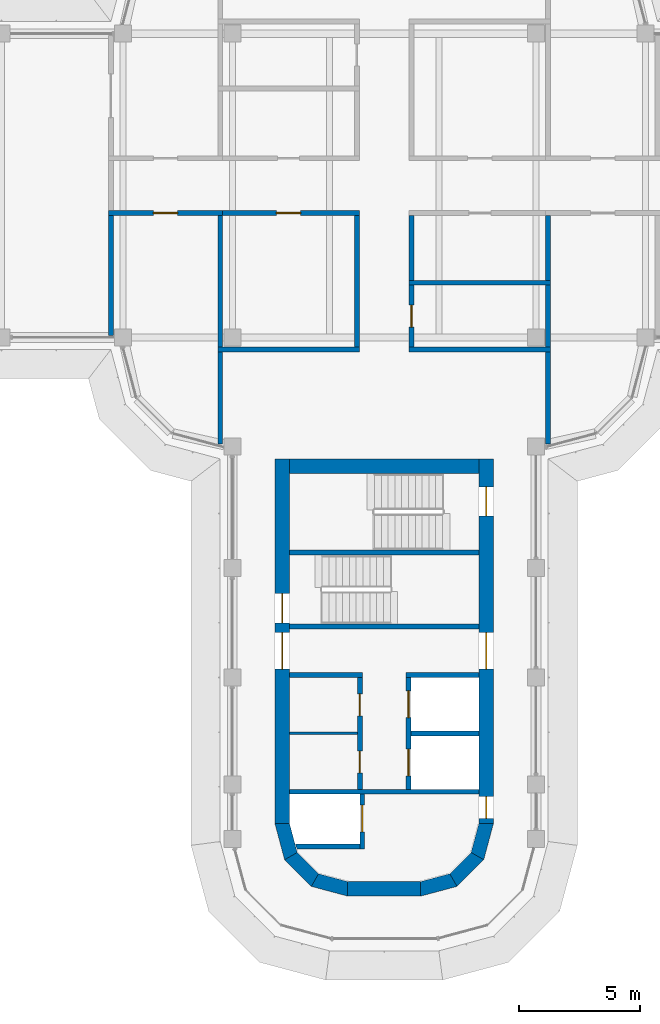
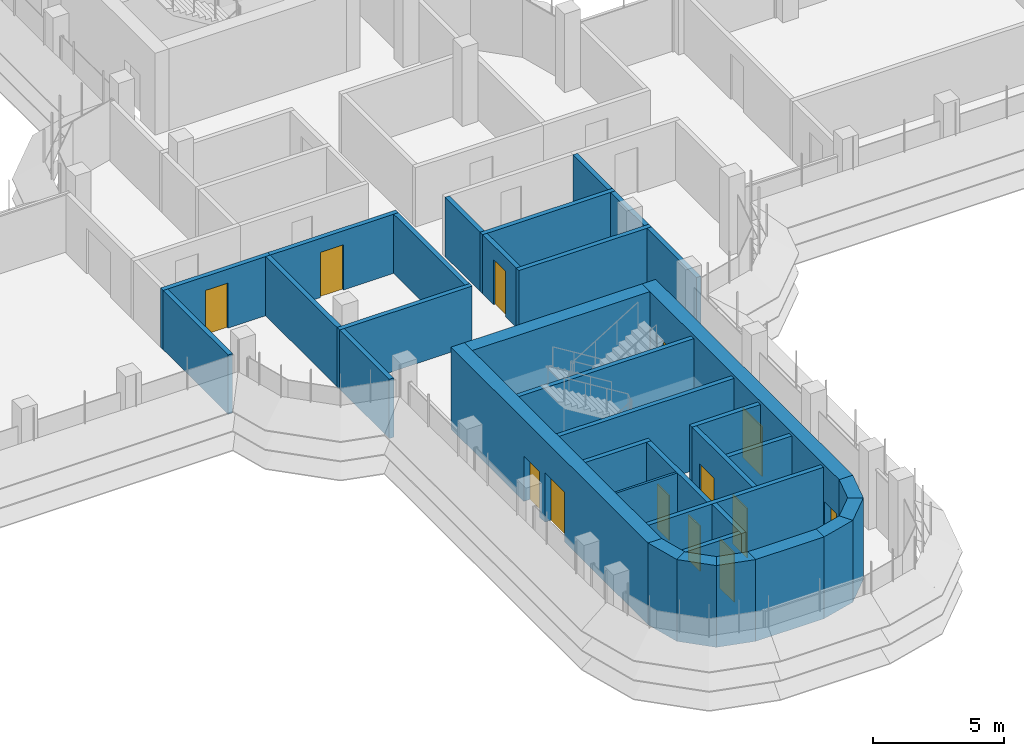
# One storey, part 13 of 19: 35 walls, 13 doors, 13 openings.
"""IFC4 building model written with IfcOpenShell, lengths in metres."""

from ifc_helpers import new_model, si_unit, direction, frame, frame_2d, origin, place, context, subcontext, project, spatial, polyline, rectangle, outline, extrude, material, layer, layer_set, type_object, element, fill, save


model = new_model("IFC4")

# Units and contexts
model_context = context("Model", 3, precision=1e-05, world=origin(), true_north=direction((0.0, 1.0)))
body_context = subcontext(model_context, "Body", "Model", "MODEL_VIEW")
ifc_project = project(units=[si_unit("LENGTHUNIT", "METRE"), si_unit("AREAUNIT", "SQUARE_METRE"), si_unit("VOLUMEUNIT", "CUBIC_METRE"), si_unit("PLANEANGLEUNIT", "RADIAN"), si_unit("MASSUNIT", "GRAM", prefix="KILO")], contexts=[model_context])

# Site, building, storey
site_placement = place(None, origin())
site = spatial("IfcSite", under=ifc_project, at=site_placement, CompositionType="ELEMENT")
building_placement = place(site_placement, origin())
building = spatial("IfcBuilding", under=site, at=building_placement, Name="Zarbagh Exchange Tower", CompositionType="ELEMENT")
storey_placement = place(building_placement, frame((0.0, 0.0, 225.800048828125)))
storey = spatial("IfcBuildingStorey", under=building, at=storey_placement, Name="L55", CompositionType="ELEMENT", Elevation=225.800048828125)

# Wall
ifc_material_1 = material(Name="Dense blockwork", Category="masonry")
ifc_layer_1 = layer(ifc_material_1, 0.10009765625)
ifc_layer_set_1 = layer_set([ifc_layer_1], Name="Core partition 100 mm blockwork")
wall_type_1 = type_object("IfcWallType", Name="Core partition 100 mm blockwork", PredefinedType="PARTITIONING", material=ifc_layer_set_1)
wall_1_placement = place(storey_placement, frame((-1.10009765625, -22.550048828125, 0.0), z_axis=(0.0, 0.0, 1.0), x_axis=(-1.0, 0.0, 0.0)))
element("IfcWall", 1, at=wall_1_placement, inside=storey, type_object=wall_type_1, Name="South core partition wall CUT-E-580", PredefinedType="PARTITIONING", context=body_context, shape_type="SweptSolid", body=[
    extrude(rectangle(XDim=2.7998046875, YDim=0.10009765625, at=frame_2d((1.39990234375, 0.0))), origin(), (0.0, 0.0, 1.0), 3.64990234375),
])

# Wall, opening, door
ifc_material_2 = material(Name="Fire-rated plasterboard partition")
ifc_layer_2 = layer(ifc_material_2, 0.199951171875)
ifc_layer_set_2 = layer_set([ifc_layer_2], Name="RATED PARTITION 200")
wall_type_2 = type_object("IfcWallType", Name="RATED PARTITION 200", PredefinedType="PARTITIONING", material=ifc_layer_set_2)
wall_2_placement = place(storey_placement, frame((-1.02490234375, -1.125, 0.0), z_axis=(0.0, 0.0, 1.0), x_axis=(-1.0, 0.0, 0.0)))
wall_2 = element("IfcWall", 2, at=wall_2_placement, inside=storey, type_object=wall_type_2, Name="Partition W-2407", PredefinedType="PARTITIONING", context=body_context, shape_type="SweptSolid", body=[
    extrude(rectangle(XDim=5.8251953125, YDim=0.199951171875, at=frame_2d((2.91259765625, 0.0))), origin(), (0.0, 0.0, 1.0), 2.75),
])
opening_1_placement = place(wall_2_placement, frame((2.41259765625, 0.0, 0.0)))
opening_1 = element("IfcOpeningElement", 3, at=opening_1_placement, cuts=wall_2, Name="Opening D-2411", PredefinedType="OPENING", context=body_context, shape_type="SweptSolid", body=[
    extrude(rectangle(XDim=1.0, YDim=2.10009765625, at=frame_2d((0.5, 1.050048828125))), frame((0.0, 0.10986328125, 0.0), z_axis=(0.0, -1.0, 0.0), x_axis=(1.0, 0.0, 0.0)), (0.0, 0.0, 1.0), 0.219970703125),
])
ifc_material_3 = material(Name="Steel door set", Category="steel")
door_type_1 = type_object("IfcDoorType", Name="FIRE DOOR 1000 X 2100 FD30S", OperationType="NOTDEFINED", PredefinedType="DOOR", material=ifc_material_3)
door_1_placement = place(opening_1_placement, origin())
door_1 = element("IfcDoor", 4, at=door_1_placement, inside=storey, type_object=door_type_1, Name="Door D-2411", OperationType="SINGLE_SWING_RIGHT", OverallHeight=2.10009765625, OverallWidth=1.0, PredefinedType="DOOR", context=body_context, shape_type="SweptSolid", body=[
    extrude(rectangle(XDim=1.0, YDim=2.10009765625, at=frame_2d((0.5, 1.050048828125))), frame((0.0, 0.02490234375, 0.0), z_axis=(0.0, -1.0, 0.0), x_axis=(1.0, 0.0, 0.0)), (0.0, 0.0, 1.0), 0.050048828125),
])
fill(opening_1, door_1)

wall_3_placement = place(storey_placement, frame((-6.64990234375, -1.125, 0.0), z_axis=(0.0, 0.0, 1.0), x_axis=(-1.0, 0.0, 0.0)))
wall_3 = element("IfcWall", 5, at=wall_3_placement, inside=storey, type_object=wall_type_2, Name="Partition W-2408", PredefinedType="PARTITIONING", context=body_context, shape_type="SweptSolid", body=[
    extrude(rectangle(XDim=4.7001953125, YDim=0.199951171875, at=frame_2d((2.35009765625, 0.0))), origin(), (0.0, 0.0, 1.0), 2.75),
])
opening_2_placement = place(wall_3_placement, frame((1.85009765625, 0.0, 0.0)))
opening_2 = element("IfcOpeningElement", 6, at=opening_2_placement, cuts=wall_3, Name="Opening D-2412", PredefinedType="OPENING", context=body_context, shape_type="SweptSolid", body=[
    extrude(rectangle(XDim=1.0, YDim=2.10009765625, at=frame_2d((0.5, 1.050048828125))), frame((0.0, 0.10986328125, 0.0), z_axis=(0.0, -1.0, 0.0), x_axis=(1.0, 0.0, 0.0)), (0.0, 0.0, 1.0), 0.219970703125),
])
door_2_placement = place(opening_2_placement, origin())
door_2 = element("IfcDoor", 7, at=door_2_placement, inside=storey, type_object=door_type_1, Name="Door D-2412", OperationType="SINGLE_SWING_RIGHT", OverallHeight=2.10009765625, OverallWidth=1.0, PredefinedType="DOOR", context=body_context, shape_type="SweptSolid", body=[
    extrude(rectangle(XDim=1.0, YDim=2.10009765625, at=frame_2d((0.5, 1.050048828125))), frame((0.0, 0.02490234375, 0.0), z_axis=(0.0, -1.0, 0.0), x_axis=(1.0, 0.0, 0.0)), (0.0, 0.0, 1.0), 0.050048828125),
])
fill(opening_2, door_2)

# Wall
wall_4_placement = place(storey_placement, frame((1.125, -3.89990234375, 0.0), z_axis=(0.0, 0.0, 1.0), x_axis=(0.0, 1.0, 0.0)))
element("IfcWall", 8, at=wall_4_placement, inside=storey, type_object=wall_type_2, Name="Partition W-2413", PredefinedType="PARTITIONING", context=body_context, shape_type="SweptSolid", body=[
    extrude(rectangle(XDim=2.6748046875, YDim=0.199951171875, at=frame_2d((1.33740234375, 0.0))), origin(), (0.0, 0.0, 1.0), 2.75),
])

# Wall, opening, door
wall_5_placement = place(storey_placement, frame((1.125, -4.10009765625, 0.0), z_axis=(0.0, 0.0, 1.0), x_axis=(0.0, -1.0, 0.0)))
wall_5 = element("IfcWall", 9, at=wall_5_placement, inside=storey, type_object=wall_type_2, Name="Partition W-2414", PredefinedType="PARTITIONING", context=body_context, shape_type="SweptSolid", body=[
    extrude(rectangle(XDim=2.5498046875, YDim=0.199951171875, at=frame_2d((1.27490234375, 0.0))), origin(), (0.0, 0.0, 1.0), 2.75),
])
opening_3_placement = place(wall_5_placement, frame((0.824951171875, 0.0, 0.0)))
opening_3 = element("IfcOpeningElement", 10, at=opening_3_placement, cuts=wall_5, Name="Opening D-2409", PredefinedType="OPENING", context=body_context, shape_type="SweptSolid", body=[
    extrude(rectangle(XDim=0.89990234375, YDim=2.10009765625, at=frame_2d((0.449951171875, 1.050048828125))), frame((0.0, 0.10986328125, 0.0), z_axis=(0.0, -1.0, 0.0), x_axis=(1.0, 0.0, 0.0)), (0.0, 0.0, 1.0), 0.219970703125),
])
ifc_material_4 = material(Name="Timber door leaf", Category="wood")
door_type_2 = type_object("IfcDoorType", Name="DOOR 900 X 2100", OperationType="NOTDEFINED", PredefinedType="DOOR", material=ifc_material_4)
door_3_placement = place(opening_3_placement, origin())
door_3 = element("IfcDoor", 11, at=door_3_placement, inside=storey, type_object=door_type_2, Name="Door D-2409", OperationType="SINGLE_SWING_RIGHT", OverallHeight=2.10009765625, OverallWidth=0.89990234375, PredefinedType="DOOR", context=body_context, shape_type="SweptSolid", body=[
    extrude(rectangle(XDim=0.89990234375, YDim=2.10009765625, at=frame_2d((0.449951171875, 1.050048828125))), frame((0.0, 0.02490234375, 0.0), z_axis=(0.0, -1.0, 0.0), x_axis=(1.0, 0.0, 0.0)), (0.0, 0.0, 1.0), 0.050048828125),
])
fill(opening_3, door_3)

# Walls
wall_6_placement = place(storey_placement, frame((-1.125, -6.64990234375, 0.0), z_axis=(0.0, 0.0, 1.0), x_axis=(0.0, 1.0, 0.0)))
element("IfcWall", 12, at=wall_6_placement, inside=storey, type_object=wall_type_2, Name="Partition W-2415", PredefinedType="PARTITIONING", context=body_context, shape_type="SweptSolid", body=[
    extrude(rectangle(XDim=5.4248046875, YDim=0.199951171875, at=frame_2d((2.71240234375, 0.0))), origin(), (0.0, 0.0, 1.0), 2.75),
])
wall_7_placement = place(storey_placement, frame((1.02490234375, -6.75, 0.0), z_axis=(0.0, 0.0, 1.0), x_axis=(1.0, 0.0, 0.0)))
element("IfcWall", 13, at=wall_7_placement, inside=storey, type_object=wall_type_2, Name="Partition W-2420", PredefinedType="PARTITIONING", context=body_context, shape_type="SweptSolid", body=[
    extrude(rectangle(XDim=5.8251953125, YDim=0.199951171875, at=frame_2d((2.91259765625, 0.0))), origin(), (0.0, 0.0, 1.0), 2.75),
])
wall_8_placement = place(storey_placement, frame((6.75, -10.6298828125, 0.0), z_axis=(0.0, 0.0, 1.0), x_axis=(0.0, 1.0, 0.0)))
element("IfcWall", 14, at=wall_8_placement, inside=storey, type_object=wall_type_2, Name="Partition W-2421", PredefinedType="PARTITIONING", context=body_context, shape_type="SweptSolid", body=[
    extrude(rectangle(XDim=3.77978515625, YDim=0.199951171875, at=frame_2d((1.889892578125, 0.0))), origin(), (0.0, 0.0, 1.0), 2.75),
])
wall_9_placement = place(storey_placement, frame((-6.85009765625, -6.75, 0.0), z_axis=(0.0, 0.0, 1.0), x_axis=(1.0, 0.0, 0.0)))
element("IfcWall", 15, at=wall_9_placement, inside=storey, type_object=wall_type_2, Name="Partition W-2422", PredefinedType="PARTITIONING", context=body_context, shape_type="SweptSolid", body=[
    extrude(rectangle(XDim=5.8251953125, YDim=0.199951171875, at=frame_2d((2.91259765625, 0.0))), origin(), (0.0, 0.0, 1.0), 2.75),
])
wall_10_placement = place(storey_placement, frame((-6.75, -10.6298828125, 0.0), z_axis=(0.0, 0.0, 1.0), x_axis=(0.0, 1.0, 0.0)))
element("IfcWall", 16, at=wall_10_placement, inside=storey, type_object=wall_type_2, Name="Partition W-2423", PredefinedType="PARTITIONING", context=body_context, shape_type="SweptSolid", body=[
    extrude(rectangle(XDim=3.77978515625, YDim=0.199951171875, at=frame_2d((1.889892578125, 0.0))), origin(), (0.0, 0.0, 1.0), 2.75),
])
wall_11_placement = place(storey_placement, frame((1.02490234375, -4.0, 0.0), z_axis=(0.0, 0.0, 1.0), x_axis=(1.0, 0.0, 0.0)))
element("IfcWall", 17, at=wall_11_placement, inside=storey, type_object=wall_type_2, Name="Partition W-2430", PredefinedType="PARTITIONING", context=body_context, shape_type="SweptSolid", body=[
    extrude(rectangle(XDim=5.8251953125, YDim=0.199951171875, at=frame_2d((2.91259765625, 0.0))), origin(), (0.0, 0.0, 1.0), 2.75),
])
wall_12_placement = place(storey_placement, frame((6.75, -3.89990234375, 0.0), z_axis=(0.0, 0.0, 1.0), x_axis=(0.0, 1.0, 0.0)))
element("IfcWall", 18, at=wall_12_placement, inside=storey, type_object=wall_type_2, Name="Partition W-2431", PredefinedType="PARTITIONING", context=body_context, shape_type="SweptSolid", body=[
    extrude(rectangle(XDim=2.6748046875, YDim=0.199951171875, at=frame_2d((1.33740234375, 0.0))), origin(), (0.0, 0.0, 1.0), 2.75),
])
wall_13_placement = place(storey_placement, frame((6.75, -6.64990234375, 0.0), z_axis=(0.0, 0.0, 1.0), x_axis=(0.0, 1.0, 0.0)))
element("IfcWall", 19, at=wall_13_placement, inside=storey, type_object=wall_type_2, Name="Partition W-2432", PredefinedType="PARTITIONING", context=body_context, shape_type="SweptSolid", body=[
    extrude(rectangle(XDim=2.5498046875, YDim=0.199951171875, at=frame_2d((1.27490234375, 0.0))), origin(), (0.0, 0.0, 1.0), 2.75),
])
wall_14_placement = place(storey_placement, frame((-6.75, -6.64990234375, 0.0), z_axis=(0.0, 0.0, 1.0), x_axis=(0.0, 1.0, 0.0)))
element("IfcWall", 20, at=wall_14_placement, inside=storey, type_object=wall_type_2, Name="Partition W-2434", PredefinedType="PARTITIONING", context=body_context, shape_type="SweptSolid", body=[
    extrude(rectangle(XDim=5.4248046875, YDim=0.199951171875, at=frame_2d((2.71240234375, 0.0))), origin(), (0.0, 0.0, 1.0), 2.75),
])
wall_15_placement = place(storey_placement, frame((-11.25, -6.169921875, 0.0), z_axis=(0.0, 0.0, 1.0), x_axis=(0.0, 1.0, 0.0)))
element("IfcWall", 21, at=wall_15_placement, inside=storey, type_object=wall_type_2, Name="Partition W-2435", PredefinedType="PARTITIONING", context=body_context, shape_type="SweptSolid", body=[
    extrude(rectangle(XDim=4.94482421875, YDim=0.199951171875, at=frame_2d((2.472412109375, 0.0))), origin(), (0.0, 0.0, 1.0), 2.75),
])
ifc_material_5 = material(Name="Concrete C50/60", Category="concrete")
ifc_layer_3 = layer(ifc_material_5, 0.60009765625)
ifc_layer_set_3 = layer_set([ifc_layer_3], Name="RC core corner wall 600 C50/60")
wall_type_3 = type_object("IfcWallType", Name="RC core corner wall 600 C50/60", PredefinedType="SHEAR", material=ifc_layer_set_3)
wall_16_placement = place(storey_placement, origin())
element("IfcWall", 22, at=wall_16_placement, inside=storey, type_object=wall_type_3, Name="CW8 core S corner W", PredefinedType="SHEAR", context=body_context, shape_type="SweptSolid", body=[
    extrude(outline(polyline([(-4.5, -26.25), (-4.09814453125, -27.75), (-3.57861328125, -27.449951171875), (-3.89990234375, -26.25), (-4.5, -26.25)])), origin(), (0.0, 0.0, 1.0), 3.800048828125),
])
wall_17_placement = place(storey_placement, origin())
element("IfcWall", 23, at=wall_17_placement, inside=storey, type_object=wall_type_3, Name="CW8 core S corner W", PredefinedType="SHEAR", context=body_context, shape_type="SweptSolid", body=[
    extrude(outline(polyline([(-4.09814453125, -27.75), (-3.0, -28.84814453125), (-2.699951171875, -28.32861328125), (-3.57861328125, -27.449951171875), (-4.09814453125, -27.75)])), origin(), (0.0, 0.0, 1.0), 3.800048828125),
])
wall_18_placement = place(storey_placement, origin())
element("IfcWall", 24, at=wall_18_placement, inside=storey, type_object=wall_type_3, Name="CW8 core S corner W", PredefinedType="SHEAR", context=body_context, shape_type="SweptSolid", body=[
    extrude(outline(polyline([(-3.0, -28.84814453125), (-1.5, -29.25), (-1.5, -28.64990234375), (-2.699951171875, -28.32861328125), (-3.0, -28.84814453125)])), origin(), (0.0, 0.0, 1.0), 3.800048828125),
])
wall_19_placement = place(storey_placement, origin())
element("IfcWall", 25, at=wall_19_placement, inside=storey, type_object=wall_type_3, Name="CW8 core S corner E", PredefinedType="SHEAR", context=body_context, shape_type="SweptSolid", body=[
    extrude(outline(polyline([(4.5, -26.25), (4.09814453125, -27.75), (3.57861328125, -27.449951171875), (3.89990234375, -26.25), (4.5, -26.25)])), origin(), (0.0, 0.0, 1.0), 3.800048828125),
])
wall_20_placement = place(storey_placement, origin())
element("IfcWall", 26, at=wall_20_placement, inside=storey, type_object=wall_type_3, Name="CW8 core S corner E", PredefinedType="SHEAR", context=body_context, shape_type="SweptSolid", body=[
    extrude(outline(polyline([(4.09814453125, -27.75), (3.0, -28.84814453125), (2.699951171875, -28.32861328125), (3.57861328125, -27.449951171875), (4.09814453125, -27.75)])), origin(), (0.0, 0.0, 1.0), 3.800048828125),
])
wall_21_placement = place(storey_placement, origin())
element("IfcWall", 27, at=wall_21_placement, inside=storey, type_object=wall_type_3, Name="CW8 core S corner E", PredefinedType="SHEAR", context=body_context, shape_type="SweptSolid", body=[
    extrude(outline(polyline([(3.0, -28.84814453125), (1.5, -29.25), (1.5, -28.64990234375), (2.699951171875, -28.32861328125), (3.0, -28.84814453125)])), origin(), (0.0, 0.0, 1.0), 3.800048828125),
])

# Wall, openings, doors
ifc_layer_4 = layer(ifc_material_5, 0.60009765625)
ifc_layer_set_4 = layer_set([ifc_layer_4], Name="RC core wall 600 C50/60")
wall_type_4 = type_object("IfcWallType", Name="RC core wall 600 C50/60", PredefinedType="SHEAR", material=ifc_layer_set_4)
wall_22_placement = place(storey_placement, frame((-4.199951171875, -11.25, 0.0), z_axis=(0.0, 0.0, 1.0), x_axis=(0.0, -1.0, 0.0)))
wall_22 = element("IfcWall", 28, at=wall_22_placement, inside=storey, type_object=wall_type_4, Name="CW7 core S W", PredefinedType="SHEAR", context=body_context, shape_type="SweptSolid", body=[
    extrude(rectangle(XDim=15.0, YDim=0.60009765625, at=frame_2d((7.5, 0.0))), origin(), (0.0, 0.0, 1.0), 3.800048828125),
])
opening_4_placement = place(wall_22_placement, frame((7.14990234375, 0.0, 0.0)))
opening_4 = element("IfcOpeningElement", 29, at=opening_4_placement, cuts=wall_22, Name="Opening CD1-1500", PredefinedType="OPENING", context=body_context, shape_type="SweptSolid", body=[
    extrude(rectangle(XDim=1.5, YDim=2.300048828125, at=frame_2d((0.75, 1.14990234375))), frame((0.0, 0.31005859375, 0.0), z_axis=(0.0, -1.0, 0.0), x_axis=(1.0, 0.0, 0.0)), (0.0, 0.0, 1.0), 0.6201171875),
])
opening_5_placement = place(wall_22_placement, frame((5.550048828125, 0.0, 0.0)))
opening_5 = element("IfcOpeningElement", 30, at=opening_5_placement, cuts=wall_22, Name="Opening SD1-1200", PredefinedType="OPENING", context=body_context, shape_type="SweptSolid", body=[
    extrude(rectangle(XDim=1.199951171875, YDim=2.10009765625, at=frame_2d((0.60009765625, 1.050048828125))), frame((0.0, 0.31005859375, 0.0), z_axis=(0.0, -1.0, 0.0), x_axis=(1.0, 0.0, 0.0)), (0.0, 0.0, 1.0), 0.6201171875),
])
ifc_material_6 = material(Name="Steel", Category="steel")
door_type_3 = type_object("IfcDoorType", Name="Exit stair door 1200 x 2100", OperationType="NOTDEFINED", PredefinedType="DOOR", material=ifc_material_6)
door_4_placement = place(opening_5_placement, origin())
door_4 = element("IfcDoor", 31, at=door_4_placement, inside=storey, type_object=door_type_3, Name="South core stair door ST1", OperationType="SINGLE_SWING_RIGHT", OverallHeight=2.10009765625, OverallWidth=1.199951171875, PredefinedType="DOOR", context=body_context, shape_type="SweptSolid", body=[
    extrude(rectangle(XDim=1.199951171875, YDim=2.10009765625, at=frame_2d((0.60009765625, 1.050048828125))), frame((0.0, 0.02490234375, 0.0), z_axis=(0.0, -1.0, 0.0), x_axis=(1.0, 0.0, 0.0)), (0.0, 0.0, 1.0), 0.050048828125),
])
fill(opening_5, door_4)
door_type_4 = type_object("IfcDoorType", Name="Lift lobby double door 1500 x 2300", OperationType="NOTDEFINED", PredefinedType="DOOR", material=ifc_material_6)
door_5_placement = place(opening_4_placement, origin())
door_5 = element("IfcDoor", 32, at=door_5_placement, inside=storey, type_object=door_type_4, Name="South core lift lobby door LOBBY-E", OperationType="DOUBLE_DOOR_SINGLE_SWING", OverallHeight=2.300048828125, OverallWidth=1.5, PredefinedType="DOOR", context=body_context, shape_type="SweptSolid", body=[
    extrude(rectangle(XDim=1.5, YDim=2.300048828125, at=frame_2d((0.75, 1.14990234375))), frame((0.0, 0.02490234375, 0.0), z_axis=(0.0, -1.0, 0.0), x_axis=(1.0, 0.0, 0.0)), (0.0, 0.0, 1.0), 0.050048828125),
])
fill(opening_4, door_5)

wall_23_placement = place(storey_placement, frame((4.199951171875, -11.25, 0.0), z_axis=(0.0, 0.0, 1.0), x_axis=(0.0, -1.0, 0.0)))
wall_23 = element("IfcWall", 33, at=wall_23_placement, inside=storey, type_object=wall_type_4, Name="CW7 core S E", PredefinedType="SHEAR", context=body_context, shape_type="SweptSolid", body=[
    extrude(rectangle(XDim=15.0, YDim=0.60009765625, at=frame_2d((7.5, 0.0))), origin(), (0.0, 0.0, 1.0), 3.800048828125),
])
opening_6_placement = place(wall_23_placement, frame((7.14990234375, 0.0, 0.0)))
opening_6 = element("IfcOpeningElement", 34, at=opening_6_placement, cuts=wall_23, Name="Opening CD1-1500", PredefinedType="OPENING", context=body_context, shape_type="SweptSolid", body=[
    extrude(rectangle(XDim=1.5, YDim=2.300048828125, at=frame_2d((0.75, 1.14990234375))), frame((0.0, 0.31005859375, 0.0), z_axis=(0.0, -1.0, 0.0), x_axis=(1.0, 0.0, 0.0)), (0.0, 0.0, 1.0), 0.6201171875),
])
opening_7_placement = place(wall_23_placement, frame((13.89990234375, 0.0, 0.0)))
opening_7 = element("IfcOpeningElement", 35, at=opening_7_placement, cuts=wall_23, Name="Opening CD2-900", PredefinedType="OPENING", context=body_context, shape_type="SweptSolid", body=[
    extrude(rectangle(XDim=0.89990234375, YDim=2.10009765625, at=frame_2d((0.449951171875, 1.050048828125))), frame((0.0, 0.31005859375, 0.0), z_axis=(0.0, -1.0, 0.0), x_axis=(1.0, 0.0, 0.0)), (0.0, 0.0, 1.0), 0.6201171875),
])
opening_8_placement = place(wall_23_placement, frame((1.14990234375, 0.0, 0.0)))
opening_8 = element("IfcOpeningElement", 36, at=opening_8_placement, cuts=wall_23, Name="Opening SD1-1200", PredefinedType="OPENING", context=body_context, shape_type="SweptSolid", body=[
    extrude(rectangle(XDim=1.199951171875, YDim=2.10009765625, at=frame_2d((0.60009765625, 1.050048828125))), frame((0.0, 0.31005859375, 0.0), z_axis=(0.0, -1.0, 0.0), x_axis=(1.0, 0.0, 0.0)), (0.0, 0.0, 1.0), 0.6201171875),
])
door_6_placement = place(opening_8_placement, origin())
door_6 = element("IfcDoor", 37, at=door_6_placement, inside=storey, type_object=door_type_3, Name="South core stair door ST2", OperationType="SINGLE_SWING_RIGHT", OverallHeight=2.10009765625, OverallWidth=1.199951171875, PredefinedType="DOOR", context=body_context, shape_type="SweptSolid", body=[
    extrude(rectangle(XDim=1.199951171875, YDim=2.10009765625, at=frame_2d((0.60009765625, 1.050048828125))), frame((0.0, 0.02490234375, 0.0), z_axis=(0.0, -1.0, 0.0), x_axis=(1.0, 0.0, 0.0)), (0.0, 0.0, 1.0), 0.050048828125),
])
fill(opening_8, door_6)
door_type_5 = type_object("IfcDoorType", Name="Firefighting lobby door 900 x 2100", OperationType="NOTDEFINED", PredefinedType="DOOR", material=ifc_material_6)
door_7_placement = place(opening_7_placement, origin())
door_7 = element("IfcDoor", 38, at=door_7_placement, inside=storey, type_object=door_type_5, Name="South core firefighting lobby door FF-W", OperationType="SINGLE_SWING_LEFT", OverallHeight=2.10009765625, OverallWidth=0.89990234375, PredefinedType="DOOR", context=body_context, shape_type="SweptSolid", body=[
    extrude(rectangle(XDim=0.89990234375, YDim=2.10009765625, at=frame_2d((0.449951171875, 1.050048828125))), frame((0.0, 0.02490234375, 0.0), z_axis=(0.0, -1.0, 0.0), x_axis=(1.0, 0.0, 0.0)), (0.0, 0.0, 1.0), 0.050048828125),
])
fill(opening_7, door_7)
door_8_placement = place(opening_6_placement, origin())
door_8 = element("IfcDoor", 39, at=door_8_placement, inside=storey, type_object=door_type_4, Name="South core lift lobby door LOBBY-W", OperationType="DOUBLE_DOOR_SINGLE_SWING", OverallHeight=2.300048828125, OverallWidth=1.5, PredefinedType="DOOR", context=body_context, shape_type="SweptSolid", body=[
    extrude(rectangle(XDim=1.5, YDim=2.300048828125, at=frame_2d((0.75, 1.14990234375))), frame((0.0, 0.02490234375, 0.0), z_axis=(0.0, -1.0, 0.0), x_axis=(1.0, 0.0, 0.0)), (0.0, 0.0, 1.0), 0.050048828125),
])
fill(opening_6, door_8)

# Walls
wall_24_placement = place(storey_placement, frame((-3.89990234375, -11.550048828125, 0.0), z_axis=(0.0, 0.0, 1.0), x_axis=(1.0, 0.0, 0.0)))
element("IfcWall", 40, at=wall_24_placement, inside=storey, type_object=wall_type_4, Name="CW7 core S inner end", PredefinedType="SHEAR", context=body_context, shape_type="SweptSolid", body=[
    extrude(rectangle(XDim=7.7998046875, YDim=0.60009765625, at=frame_2d((3.89990234375, 0.0))), origin(), (0.0, 0.0, 1.0), 3.800048828125),
])
wall_25_placement = place(storey_placement, frame((-1.5, -28.949951171875, 0.0), z_axis=(0.0, 0.0, 1.0), x_axis=(1.0, 0.0, 0.0)))
element("IfcWall", 41, at=wall_25_placement, inside=storey, type_object=wall_type_4, Name="CW7 core S outer end", PredefinedType="SHEAR", context=body_context, shape_type="SweptSolid", body=[
    extrude(rectangle(XDim=3.0, YDim=0.60009765625, at=frame_2d((1.5, 0.0))), origin(), (0.0, 0.0, 1.0), 3.800048828125),
])
ifc_layer_5 = layer(ifc_material_1, 0.199951171875)
ifc_layer_set_5 = layer_set([ifc_layer_5], Name="Shaft wall 200 mm blockwork")
wall_type_5 = type_object("IfcWallType", Name="Shaft wall 200 mm blockwork", PredefinedType="PARTITIONING", material=ifc_layer_set_5)
wall_26_placement = place(storey_placement, frame((3.89990234375, -20.14990234375, 0.0), z_axis=(0.0, 0.0, 1.0), x_axis=(-1.0, 0.0, 0.0)))
element("IfcWall", 42, at=wall_26_placement, inside=storey, type_object=wall_type_5, Name="South core shaft wall AB-W", PredefinedType="PARTITIONING", context=body_context, shape_type="SweptSolid", body=[
    extrude(rectangle(XDim=3.0, YDim=0.199951171875, at=frame_2d((1.5, 0.0))), origin(), (0.0, 0.0, 1.0), 3.64990234375),
])

# Wall, openings, doors
wall_27_placement = place(storey_placement, frame((1.0, -24.85009765625, 0.0), z_axis=(0.0, 0.0, 1.0), x_axis=(0.0, 1.0, 0.0)))
wall_27 = element("IfcWall", 43, at=wall_27_placement, inside=storey, type_object=wall_type_5, Name="South core shaft wall LW-W", PredefinedType="PARTITIONING", context=body_context, shape_type="SweptSolid", body=[
    extrude(rectangle(XDim=4.60009765625, YDim=0.199951171875, at=frame_2d((2.300048828125, 0.0))), origin(), (0.0, 0.0, 1.0), 3.64990234375),
])
opening_9_placement = place(wall_27_placement, frame((0.550048828125, 0.0, 0.0)))
opening_9 = element("IfcOpeningElement", 44, at=opening_9_placement, cuts=wall_27, Name="Opening LD-1100", PredefinedType="OPENING", context=body_context, shape_type="SweptSolid", body=[
    extrude(rectangle(XDim=1.10009765625, YDim=2.300048828125, at=frame_2d((0.550048828125, 1.14990234375))), frame((0.0, 0.10986328125, 0.0), z_axis=(0.0, -1.0, 0.0), x_axis=(1.0, 0.0, 0.0)), (0.0, 0.0, 1.0), 0.219970703125),
])
opening_10_placement = place(wall_27_placement, frame((2.949951171875, 0.0, 0.0)))
opening_10 = element("IfcOpeningElement", 45, at=opening_10_placement, cuts=wall_27, Name="Opening LD-1100", PredefinedType="OPENING", context=body_context, shape_type="SweptSolid", body=[
    extrude(rectangle(XDim=1.10009765625, YDim=2.300048828125, at=frame_2d((0.550048828125, 1.14990234375))), frame((0.0, 0.10986328125, 0.0), z_axis=(0.0, -1.0, 0.0), x_axis=(1.0, 0.0, 0.0)), (0.0, 0.0, 1.0), 0.219970703125),
])
ifc_material_7 = material(Name="Stainless steel", Category="steel")
door_type_6 = type_object("IfcDoorType", Name="Lift landing door 1100 x 2300", OperationType="NOTDEFINED", PredefinedType="DOOR", material=ifc_material_7)
door_9_placement = place(opening_9_placement, origin())
door_9 = element("IfcDoor", 46, at=door_9_placement, inside=storey, type_object=door_type_6, Name="South core lift landing door LD-P-S1", OperationType="DOUBLE_DOOR_SLIDING", OverallHeight=2.300048828125, OverallWidth=1.10009765625, PredefinedType="DOOR", context=body_context, shape_type="SweptSolid", body=[
    extrude(rectangle(XDim=1.10009765625, YDim=2.300048828125, at=frame_2d((0.550048828125, 1.14990234375))), frame((0.0, 0.02490234375, 0.0), z_axis=(0.0, -1.0, 0.0), x_axis=(1.0, 0.0, 0.0)), (0.0, 0.0, 1.0), 0.050048828125),
])
fill(opening_9, door_9)
door_10_placement = place(opening_10_placement, origin())
door_10 = element("IfcDoor", 47, at=door_10_placement, inside=storey, type_object=door_type_6, Name="South core lift landing door LD-P-S2", OperationType="DOUBLE_DOOR_SLIDING", OverallHeight=2.300048828125, OverallWidth=1.10009765625, PredefinedType="DOOR", context=body_context, shape_type="SweptSolid", body=[
    extrude(rectangle(XDim=1.10009765625, YDim=2.300048828125, at=frame_2d((0.550048828125, 1.14990234375))), frame((0.0, 0.02490234375, 0.0), z_axis=(0.0, -1.0, 0.0), x_axis=(1.0, 0.0, 0.0)), (0.0, 0.0, 1.0), 0.050048828125),
])
fill(opening_10, door_10)

# Wall
wall_28_placement = place(storey_placement, frame((-0.89990234375, -20.14990234375, 0.0), z_axis=(0.0, 0.0, 1.0), x_axis=(-1.0, 0.0, 0.0)))
element("IfcWall", 48, at=wall_28_placement, inside=storey, type_object=wall_type_5, Name="South core shaft wall AB-E", PredefinedType="PARTITIONING", context=body_context, shape_type="SweptSolid", body=[
    extrude(rectangle(XDim=3.0, YDim=0.199951171875, at=frame_2d((1.5, 0.0))), origin(), (0.0, 0.0, 1.0), 3.64990234375),
])

# Wall, openings, doors
wall_29_placement = place(storey_placement, frame((-1.0, -24.85009765625, 0.0), z_axis=(0.0, 0.0, 1.0), x_axis=(0.0, 1.0, 0.0)))
wall_29 = element("IfcWall", 49, at=wall_29_placement, inside=storey, type_object=wall_type_5, Name="South core shaft wall LW-E", PredefinedType="PARTITIONING", context=body_context, shape_type="SweptSolid", body=[
    extrude(rectangle(XDim=4.60009765625, YDim=0.199951171875, at=frame_2d((2.300048828125, 0.0))), origin(), (0.0, 0.0, 1.0), 3.64990234375),
])
opening_11_placement = place(wall_29_placement, frame((0.675048828125, 0.0, 0.0)))
opening_11 = element("IfcOpeningElement", 50, at=opening_11_placement, cuts=wall_29, Name="Opening CD3-900", PredefinedType="OPENING", context=body_context, shape_type="SweptSolid", body=[
    extrude(rectangle(XDim=0.89990234375, YDim=2.10009765625, at=frame_2d((0.449951171875, 1.050048828125))), frame((0.0, 0.10986328125, 0.0), z_axis=(0.0, -1.0, 0.0), x_axis=(1.0, 0.0, 0.0)), (0.0, 0.0, 1.0), 0.219970703125),
])
opening_12_placement = place(wall_29_placement, frame((3.02490234375, 0.0, 0.0)))
opening_12 = element("IfcOpeningElement", 51, at=opening_12_placement, cuts=wall_29, Name="Opening CD3-900", PredefinedType="OPENING", context=body_context, shape_type="SweptSolid", body=[
    extrude(rectangle(XDim=0.89990234375, YDim=2.10009765625, at=frame_2d((0.449951171875, 1.050048828125))), frame((0.0, 0.10986328125, 0.0), z_axis=(0.0, -1.0, 0.0), x_axis=(1.0, 0.0, 0.0)), (0.0, 0.0, 1.0), 0.219970703125),
])
door_type_7 = type_object("IfcDoorType", Name="Core room door 900 x 2100", OperationType="NOTDEFINED", PredefinedType="DOOR", material=ifc_material_6)
door_11_placement = place(opening_11_placement, origin())
door_11 = element("IfcDoor", 52, at=door_11_placement, inside=storey, type_object=door_type_7, Name="South core Staff WC door RD-E-0", OperationType="SINGLE_SWING_RIGHT", OverallHeight=2.10009765625, OverallWidth=0.89990234375, PredefinedType="DOOR", context=body_context, shape_type="SweptSolid", body=[
    extrude(rectangle(XDim=0.89990234375, YDim=2.10009765625, at=frame_2d((0.449951171875, 1.050048828125))), frame((0.0, 0.02490234375, 0.0), z_axis=(0.0, -1.0, 0.0), x_axis=(1.0, 0.0, 0.0)), (0.0, 0.0, 1.0), 0.050048828125),
])
fill(opening_11, door_11)
door_12_placement = place(opening_12_placement, origin())
door_12 = element("IfcDoor", 53, at=door_12_placement, inside=storey, type_object=door_type_7, Name="South core Accessible WC door RD-E-1", OperationType="SINGLE_SWING_LEFT", OverallHeight=2.10009765625, OverallWidth=0.89990234375, PredefinedType="DOOR", context=body_context, shape_type="SweptSolid", body=[
    extrude(rectangle(XDim=0.89990234375, YDim=2.10009765625, at=frame_2d((0.449951171875, 1.050048828125))), frame((0.0, 0.02490234375, 0.0), z_axis=(0.0, -1.0, 0.0), x_axis=(1.0, 0.0, 0.0)), (0.0, 0.0, 1.0), 0.050048828125),
])
fill(opening_12, door_12)

# Walls
wall_30_placement = place(storey_placement, frame((3.89990234375, -22.550048828125, 0.0), z_axis=(0.0, 0.0, 1.0), x_axis=(-1.0, 0.0, 0.0)))
element("IfcWall", 54, at=wall_30_placement, inside=storey, type_object=wall_type_5, Name="South core shaft wall TR-W", PredefinedType="PARTITIONING", context=body_context, shape_type="SweptSolid", body=[
    extrude(rectangle(XDim=2.7998046875, YDim=0.199951171875, at=frame_2d((1.39990234375, 0.0))), origin(), (0.0, 0.0, 1.0), 3.64990234375),
])
ifc_material_8 = material(Name="Concrete C40/50", Category="concrete")
ifc_layer_6 = layer(ifc_material_8, 0.199951171875)
ifc_layer_set_6 = layer_set([ifc_layer_6], Name="Stair enclosure wall 200 mm RC C40/50")
wall_type_6 = type_object("IfcWallType", Name="Stair enclosure wall 200 mm RC C40/50", PredefinedType="SHEAR", material=ifc_layer_set_6)
wall_31_placement = place(storey_placement, frame((3.89990234375, -24.949951171875, 0.0), z_axis=(0.0, 0.0, 1.0), x_axis=(-1.0, 0.0, 0.0)))
element("IfcWall", 55, at=wall_31_placement, inside=storey, type_object=wall_type_6, Name="South core lift shaft wall FFA", PredefinedType="SHEAR", context=body_context, shape_type="SweptSolid", body=[
    extrude(rectangle(XDim=7.7998046875, YDim=0.199951171875, at=frame_2d((3.89990234375, 0.0))), origin(), (0.0, 0.0, 1.0), 3.64990234375),
])

# Wall, opening, door
wall_32_placement = place(storey_placement, frame((-0.89990234375, -27.300048828125, 0.0), z_axis=(0.0, 0.0, 1.0), x_axis=(0.0, 1.0, 0.0)))
wall_32 = element("IfcWall", 56, at=wall_32_placement, inside=storey, type_object=wall_type_6, Name="South core lift shaft wall FFL", PredefinedType="SHEAR", context=body_context, shape_type="SweptSolid", body=[
    extrude(rectangle(XDim=2.25, YDim=0.199951171875, at=frame_2d((1.125, 0.0))), origin(), (0.0, 0.0, 1.0), 3.64990234375),
])
opening_13_placement = place(wall_32_placement, frame((0.699951171875, 0.0, 0.0)))
opening_13 = element("IfcOpeningElement", 57, at=opening_13_placement, cuts=wall_32, Name="Opening LD-1100", PredefinedType="OPENING", context=body_context, shape_type="SweptSolid", body=[
    extrude(rectangle(XDim=1.10009765625, YDim=2.300048828125, at=frame_2d((0.550048828125, 1.14990234375))), frame((0.0, 0.10986328125, 0.0), z_axis=(0.0, -1.0, 0.0), x_axis=(1.0, 0.0, 0.0)), (0.0, 0.0, 1.0), 0.219970703125),
])
door_13_placement = place(opening_13_placement, origin())
door_13 = element("IfcDoor", 58, at=door_13_placement, inside=storey, type_object=door_type_6, Name="South core lift landing door LD-F", OperationType="DOUBLE_DOOR_SLIDING", OverallHeight=2.300048828125, OverallWidth=1.10009765625, PredefinedType="DOOR", context=body_context, shape_type="SweptSolid", body=[
    extrude(rectangle(XDim=1.10009765625, YDim=2.300048828125, at=frame_2d((0.550048828125, 1.14990234375))), frame((0.0, 0.02490234375, 0.0), z_axis=(0.0, -1.0, 0.0), x_axis=(1.0, 0.0, 0.0)), (0.0, 0.0, 1.0), 0.050048828125),
])
fill(opening_13, door_13)

# Walls
wall_33_placement = place(storey_placement, origin())
element("IfcWall", 59, at=wall_33_placement, inside=storey, type_object=wall_type_6, Name="South core lift shaft wall FFX", PredefinedType="SHEAR", context=body_context, shape_type="SweptSolid", body=[
    extrude(outline(polyline([(-1.0, -27.10009765625), (-3.651123046875, -27.10009765625), (-3.597412109375, -27.300048828125), (-1.0, -27.300048828125), (-1.0, -27.10009765625)])), origin(), (0.0, 0.0, 1.0), 3.64990234375),
])
for number, where, z_axis, x_axis, name in (
    (60, (3.89990234375, -18.14990234375, 0.0), (0.0, 0.0, 1.0), (-1.0, 0.0, 0.0), "South core stair wall BS"),
    (61, (3.89990234375, -15.10009765625, 0.0), (0.0, 0.0, 1.0), (-1.0, 0.0, 0.0), "South core stair wall ST12"),
):
    element("IfcWall", number, at=place(storey_placement, frame(where, z_axis=z_axis, x_axis=x_axis)), inside=storey, type_object=wall_type_6, Name=name, PredefinedType="SHEAR", context=body_context, shape_type="SweptSolid", body=[
        extrude(rectangle(XDim=7.7998046875, YDim=0.199951171875, at=frame_2d((3.89990234375, 0.0))), origin(), (0.0, 0.0, 1.0), 3.64990234375),
    ])

save(model, "model.ifc")
